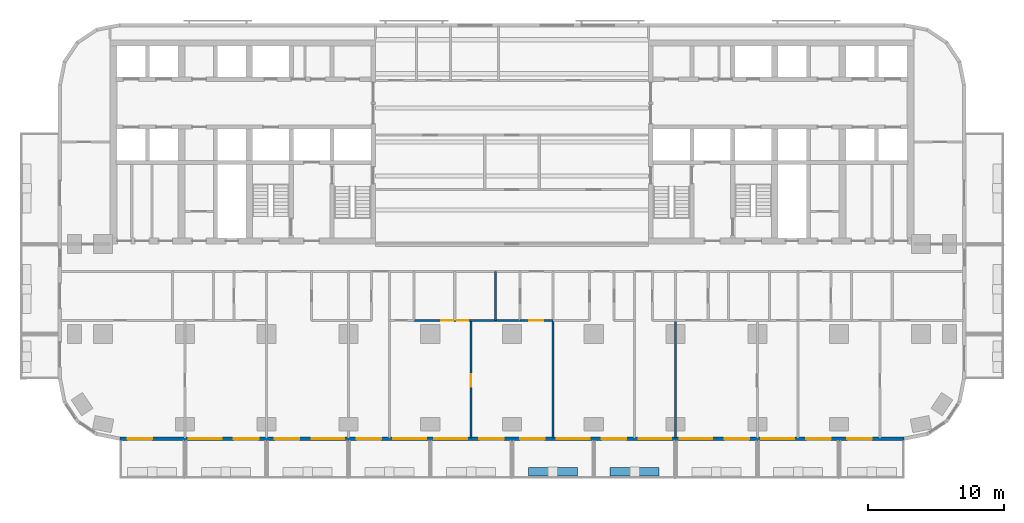
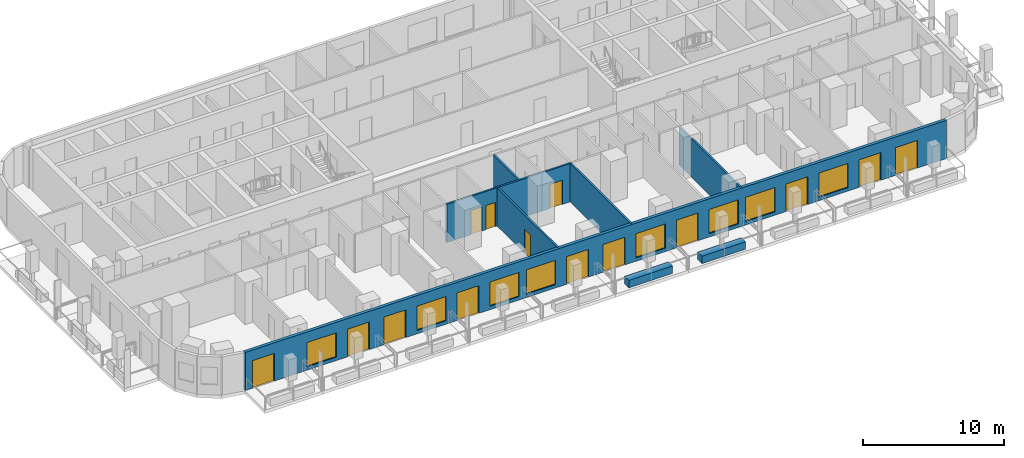
# One storey, part 5 of 15: 14 doors, 9 walls, 8 windows, 22 openings.
"""IFC4 building model written with IfcOpenShell, lengths in metres."""

from ifc_helpers import new_model, si_unit, direction, frame, frame_2d, origin, place, context, subcontext, project, spatial, rectangle, extrude, material, layer, layer_set, type_object, element, fill, save


model = new_model("IFC4")

# Units and contexts
model_context = context("Model", 3, precision=1e-05, world=origin(), true_north=direction((0.0, 1.0)))
body_context = subcontext(model_context, "Body", "Model", "MODEL_VIEW")
ifc_project = project(units=[si_unit("LENGTHUNIT", "METRE"), si_unit("AREAUNIT", "SQUARE_METRE"), si_unit("VOLUMEUNIT", "CUBIC_METRE"), si_unit("PLANEANGLEUNIT", "RADIAN"), si_unit("MASSUNIT", "GRAM", prefix="KILO")], contexts=[model_context])

# Site, building, storey
site_placement = place(None, origin())
site = spatial("IfcSite", under=ifc_project, at=site_placement, CompositionType="ELEMENT")
building_placement = place(site_placement, origin())
building = spatial("IfcBuilding", under=site, at=building_placement, Name="Torana Hotel and Residences", CompositionType="ELEMENT")
storey_placement = place(building_placement, frame((0.0, 0.0, 92.39990234375)))
storey = spatial("IfcBuildingStorey", under=building, at=storey_placement, Name="L23", CompositionType="ELEMENT", Elevation=92.39990234375)

# Wall, openings, doors, windows
ifc_material_1 = material(Name="Black aluminium composite panel", Category="aluminium")
ifc_layer_1 = layer(ifc_material_1, 0.00390625, Name="Cladding", Category="cladding")
ifc_material_2 = material(Name="Ventilated air cavity")
ifc_layer_2 = layer(ifc_material_2, 0.0400390625, Name="Ventilated cavity", Category="cavity")
ifc_material_3 = material(Name="Mineral wool insulation")
ifc_layer_3 = layer(ifc_material_3, 0.090087890625, Name="Insulation", Category="insulation")
ifc_material_4 = material(Name="Steel S280GD", Category="steel")
ifc_layer_4 = layer(ifc_material_4, 0.092041015625, Name="Steel stud frame", Category="structure")
ifc_material_5 = material(Name="Fire rated plasterboard")
ifc_layer_5 = layer(ifc_material_5, 0.011962890625, Name="Inner board", Category="finish")
ifc_layer_6 = layer(ifc_material_5, 0.011962890625, Name="Second board", Category="finish")
ifc_layer_set_1 = layer_set([ifc_layer_1, ifc_layer_2, ifc_layer_3, ifc_layer_4, ifc_layer_5, ifc_layer_6], Name="EW1 EXTERNAL WALL BLACK METAL CLAD 250")
wall_type_1 = type_object("IfcWallType", Name="EW1 EXTERNAL WALL BLACK METAL CLAD 250", PredefinedType="SOLIDWALL", material=ifc_layer_set_1)
wall_1_placement = place(storey_placement, frame((-28.775390625, -29.27490234375, 0.0), z_axis=(0.0, 0.0, 1.0), x_axis=(1.0, 0.0, 0.0)))
wall_1 = element("IfcWall", 1, at=wall_1_placement, inside=storey, type_object=wall_type_1, Name="External wall L23 e0.14", PredefinedType="SOLIDWALL", context=body_context, shape_type="SweptSolid", body=[
    extrude(rectangle(XDim=57.55078125, YDim=0.25, at=frame_2d((28.775390625, 0.0))), origin(), (0.0, 0.0, 1.0), 3.320068359375),
])
opening_1_placement = place(wall_1_placement, frame((0.575439453125, 0.0, 0.0)))
opening_1 = element("IfcOpeningElement", 2, at=opening_1_placement, cuts=wall_1, Name="Opening L23-E01", PredefinedType="OPENING", context=body_context, shape_type="SweptSolid", body=[
    extrude(rectangle(XDim=1.800048828125, YDim=2.39990234375, at=frame_2d((0.89990234375, 1.199951171875))), frame((0.0, 0.135009765625, 0.0), z_axis=(0.0, -1.0, 0.0), x_axis=(1.0, 0.0, 0.0)), (0.0, 0.0, 1.0), 0.27001953125),
])
opening_2_placement = place(wall_1_placement, frame((5.075439453125, 0.0, 0.300048828125)))
opening_2 = element("IfcOpeningElement", 3, at=opening_2_placement, cuts=wall_1, Name="Opening W1", PredefinedType="OPENING", context=body_context, shape_type="SweptSolid", body=[
    extrude(rectangle(XDim=2.39990234375, YDim=2.10009765625, at=frame_2d((1.199951171875, 1.050048828125))), frame((0.0, 0.135009765625, 0.0), z_axis=(0.0, -1.0, 0.0), x_axis=(1.0, 0.0, 0.0)), (0.0, 0.0, 1.0), 0.27001953125),
])
opening_3_placement = place(wall_1_placement, frame((8.37548828125, 0.0, 0.0)))
opening_3 = element("IfcOpeningElement", 4, at=opening_3_placement, cuts=wall_1, Name="Opening L23-E02", PredefinedType="OPENING", context=body_context, shape_type="SweptSolid", body=[
    extrude(rectangle(XDim=1.800048828125, YDim=2.39990234375, at=frame_2d((0.89990234375, 1.199951171875))), frame((0.0, 0.135009765625, 0.0), z_axis=(0.0, -1.0, 0.0), x_axis=(1.0, 0.0, 0.0)), (0.0, 0.0, 1.0), 0.27001953125),
])
opening_4_placement = place(wall_1_placement, frame((11.37548828125, 0.0, 0.0)))
opening_4 = element("IfcOpeningElement", 5, at=opening_4_placement, cuts=wall_1, Name="Opening L23-E03", PredefinedType="OPENING", context=body_context, shape_type="SweptSolid", body=[
    extrude(rectangle(XDim=1.800048828125, YDim=2.39990234375, at=frame_2d((0.89990234375, 1.199951171875))), frame((0.0, 0.135009765625, 0.0), z_axis=(0.0, -1.0, 0.0), x_axis=(1.0, 0.0, 0.0)), (0.0, 0.0, 1.0), 0.27001953125),
])
opening_5_placement = place(wall_1_placement, frame((14.075439453125, 0.0, 0.300048828125)))
opening_5 = element("IfcOpeningElement", 6, at=opening_5_placement, cuts=wall_1, Name="Opening W1", PredefinedType="OPENING", context=body_context, shape_type="SweptSolid", body=[
    extrude(rectangle(XDim=2.39990234375, YDim=2.10009765625, at=frame_2d((1.199951171875, 1.050048828125))), frame((0.0, 0.135009765625, 0.0), z_axis=(0.0, -1.0, 0.0), x_axis=(1.0, 0.0, 0.0)), (0.0, 0.0, 1.0), 0.27001953125),
])
opening_6_placement = place(wall_1_placement, frame((17.37548828125, 0.0, 0.0)))
opening_6 = element("IfcOpeningElement", 7, at=opening_6_placement, cuts=wall_1, Name="Opening L23-E04", PredefinedType="OPENING", context=body_context, shape_type="SweptSolid", body=[
    extrude(rectangle(XDim=1.800048828125, YDim=2.39990234375, at=frame_2d((0.89990234375, 1.199951171875))), frame((0.0, 0.135009765625, 0.0), z_axis=(0.0, -1.0, 0.0), x_axis=(1.0, 0.0, 0.0)), (0.0, 0.0, 1.0), 0.27001953125),
])
opening_7_placement = place(wall_1_placement, frame((20.075439453125, 0.0, 0.300048828125)))
opening_7 = element("IfcOpeningElement", 8, at=opening_7_placement, cuts=wall_1, Name="Opening W1", PredefinedType="OPENING", context=body_context, shape_type="SweptSolid", body=[
    extrude(rectangle(XDim=2.39990234375, YDim=2.10009765625, at=frame_2d((1.199951171875, 1.050048828125))), frame((0.0, 0.135009765625, 0.0), z_axis=(0.0, -1.0, 0.0), x_axis=(1.0, 0.0, 0.0)), (0.0, 0.0, 1.0), 0.27001953125),
])
opening_8_placement = place(wall_1_placement, frame((23.075439453125, 0.0, 0.300048828125)))
opening_8 = element("IfcOpeningElement", 9, at=opening_8_placement, cuts=wall_1, Name="Opening W1", PredefinedType="OPENING", context=body_context, shape_type="SweptSolid", body=[
    extrude(rectangle(XDim=2.39990234375, YDim=2.10009765625, at=frame_2d((1.199951171875, 1.050048828125))), frame((0.0, 0.135009765625, 0.0), z_axis=(0.0, -1.0, 0.0), x_axis=(1.0, 0.0, 0.0)), (0.0, 0.0, 1.0), 0.27001953125),
])
opening_9_placement = place(wall_1_placement, frame((26.37548828125, 0.0, 0.0)))
opening_9 = element("IfcOpeningElement", 10, at=opening_9_placement, cuts=wall_1, Name="Opening L23-E05", PredefinedType="OPENING", context=body_context, shape_type="SweptSolid", body=[
    extrude(rectangle(XDim=1.800048828125, YDim=2.39990234375, at=frame_2d((0.89990234375, 1.199951171875))), frame((0.0, 0.135009765625, 0.0), z_axis=(0.0, -1.0, 0.0), x_axis=(1.0, 0.0, 0.0)), (0.0, 0.0, 1.0), 0.27001953125),
])
opening_10_placement = place(wall_1_placement, frame((29.37548828125, 0.0, 0.0)))
opening_10 = element("IfcOpeningElement", 11, at=opening_10_placement, cuts=wall_1, Name="Opening L23-E06", PredefinedType="OPENING", context=body_context, shape_type="SweptSolid", body=[
    extrude(rectangle(XDim=1.800048828125, YDim=2.39990234375, at=frame_2d((0.89990234375, 1.199951171875))), frame((0.0, 0.135009765625, 0.0), z_axis=(0.0, -1.0, 0.0), x_axis=(1.0, 0.0, 0.0)), (0.0, 0.0, 1.0), 0.27001953125),
])
opening_11_placement = place(wall_1_placement, frame((32.075439453125, 0.0, 0.300048828125)))
opening_11 = element("IfcOpeningElement", 12, at=opening_11_placement, cuts=wall_1, Name="Opening W1", PredefinedType="OPENING", context=body_context, shape_type="SweptSolid", body=[
    extrude(rectangle(XDim=2.39990234375, YDim=2.10009765625, at=frame_2d((1.199951171875, 1.050048828125))), frame((0.0, 0.135009765625, 0.0), z_axis=(0.0, -1.0, 0.0), x_axis=(1.0, 0.0, 0.0)), (0.0, 0.0, 1.0), 0.27001953125),
])
opening_12_placement = place(wall_1_placement, frame((35.37548828125, 0.0, 0.0)))
opening_12 = element("IfcOpeningElement", 13, at=opening_12_placement, cuts=wall_1, Name="Opening L23-E07", PredefinedType="OPENING", context=body_context, shape_type="SweptSolid", body=[
    extrude(rectangle(XDim=1.800048828125, YDim=2.39990234375, at=frame_2d((0.89990234375, 1.199951171875))), frame((0.0, 0.135009765625, 0.0), z_axis=(0.0, -1.0, 0.0), x_axis=(1.0, 0.0, 0.0)), (0.0, 0.0, 1.0), 0.27001953125),
])
opening_13_placement = place(wall_1_placement, frame((38.075439453125, 0.0, 0.300048828125)))
opening_13 = element("IfcOpeningElement", 14, at=opening_13_placement, cuts=wall_1, Name="Opening W1", PredefinedType="OPENING", context=body_context, shape_type="SweptSolid", body=[
    extrude(rectangle(XDim=2.39990234375, YDim=2.10009765625, at=frame_2d((1.199951171875, 1.050048828125))), frame((0.0, 0.135009765625, 0.0), z_axis=(0.0, -1.0, 0.0), x_axis=(1.0, 0.0, 0.0)), (0.0, 0.0, 1.0), 0.27001953125),
])
opening_14_placement = place(wall_1_placement, frame((41.075439453125, 0.0, 0.300048828125)))
opening_14 = element("IfcOpeningElement", 15, at=opening_14_placement, cuts=wall_1, Name="Opening W1", PredefinedType="OPENING", context=body_context, shape_type="SweptSolid", body=[
    extrude(rectangle(XDim=2.39990234375, YDim=2.10009765625, at=frame_2d((1.199951171875, 1.050048828125))), frame((0.0, 0.135009765625, 0.0), z_axis=(0.0, -1.0, 0.0), x_axis=(1.0, 0.0, 0.0)), (0.0, 0.0, 1.0), 0.27001953125),
])
opening_15_placement = place(wall_1_placement, frame((44.37548828125, 0.0, 0.0)))
opening_15 = element("IfcOpeningElement", 16, at=opening_15_placement, cuts=wall_1, Name="Opening L23-E08", PredefinedType="OPENING", context=body_context, shape_type="SweptSolid", body=[
    extrude(rectangle(XDim=1.800048828125, YDim=2.39990234375, at=frame_2d((0.89990234375, 1.199951171875))), frame((0.0, 0.135009765625, 0.0), z_axis=(0.0, -1.0, 0.0), x_axis=(1.0, 0.0, 0.0)), (0.0, 0.0, 1.0), 0.27001953125),
])
opening_16_placement = place(wall_1_placement, frame((47.075439453125, 0.0, 0.300048828125)))
opening_16 = element("IfcOpeningElement", 17, at=opening_16_placement, cuts=wall_1, Name="Opening W1", PredefinedType="OPENING", context=body_context, shape_type="SweptSolid", body=[
    extrude(rectangle(XDim=2.39990234375, YDim=2.10009765625, at=frame_2d((1.199951171875, 1.050048828125))), frame((0.0, 0.135009765625, 0.0), z_axis=(0.0, -1.0, 0.0), x_axis=(1.0, 0.0, 0.0)), (0.0, 0.0, 1.0), 0.27001953125),
])
opening_17_placement = place(wall_1_placement, frame((50.37548828125, 0.0, 0.0)))
opening_17 = element("IfcOpeningElement", 18, at=opening_17_placement, cuts=wall_1, Name="Opening L23-E09", PredefinedType="OPENING", context=body_context, shape_type="SweptSolid", body=[
    extrude(rectangle(XDim=1.800048828125, YDim=2.39990234375, at=frame_2d((0.89990234375, 1.199951171875))), frame((0.0, 0.135009765625, 0.0), z_axis=(0.0, -1.0, 0.0), x_axis=(1.0, 0.0, 0.0)), (0.0, 0.0, 1.0), 0.27001953125),
])
opening_18_placement = place(wall_1_placement, frame((53.37548828125, 0.0, 0.0)))
opening_18 = element("IfcOpeningElement", 19, at=opening_18_placement, cuts=wall_1, Name="Opening L23-E10", PredefinedType="OPENING", context=body_context, shape_type="SweptSolid", body=[
    extrude(rectangle(XDim=1.800048828125, YDim=2.39990234375, at=frame_2d((0.89990234375, 1.199951171875))), frame((0.0, 0.135009765625, 0.0), z_axis=(0.0, -1.0, 0.0), x_axis=(1.0, 0.0, 0.0)), (0.0, 0.0, 1.0), 0.27001953125),
])
ifc_material_6 = material(Name="Dark glass in black aluminium frame", Category="aluminium")
door_type_1 = type_object("IfcDoorType", Name="DB1 BALCONY DOOR 1800x2400", OperationType="DOUBLE_DOOR_SINGLE_SWING", PredefinedType="DOOR", material=ifc_material_6)
door_1_placement = place(opening_1_placement, origin())
door_1 = element("IfcDoor", 20, at=door_1_placement, inside=storey, type_object=door_type_1, Name="Balcony door L23", OperationType="DOUBLE_DOOR_SINGLE_SWING", OverallHeight=2.39990234375, OverallWidth=1.800048828125, PredefinedType="DOOR", context=body_context, shape_type="SweptSolid", body=[
    extrude(rectangle(XDim=1.800048828125, YDim=2.39990234375, at=frame_2d((0.89990234375, 1.199951171875))), frame((0.0, 0.02490234375, 0.0), z_axis=(0.0, -1.0, 0.0), x_axis=(1.0, 0.0, 0.0)), (0.0, 0.0, 1.0), 0.050048828125),
])
fill(opening_1, door_1)
door_2_placement = place(opening_3_placement, frame((0.89990234375, 0.0, 0.0), z_axis=(0.0, 0.0, 1.0), x_axis=(-1.0, 0.0, 0.0)))
door_2 = element("IfcDoor", 21, at=door_2_placement, inside=storey, type_object=door_type_1, Name="Balcony door L23", OperationType="DOUBLE_DOOR_SINGLE_SWING", OverallHeight=2.39990234375, OverallWidth=1.800048828125, PredefinedType="DOOR", context=body_context, shape_type="SweptSolid", body=[
    extrude(rectangle(XDim=1.800048828125, YDim=2.39990234375, at=frame_2d((0.0, 1.199951171875))), frame((0.0, -0.02490234375, 0.0), z_axis=(0.0, 1.0, 0.0), x_axis=(-1.0, 0.0, 0.0)), (0.0, 0.0, 1.0), 0.050048828125),
])
fill(opening_3, door_2)
door_3_placement = place(opening_4_placement, frame((0.89990234375, 0.0, 0.0), z_axis=(0.0, 0.0, 1.0), x_axis=(-1.0, 0.0, 0.0)))
door_3 = element("IfcDoor", 22, at=door_3_placement, inside=storey, type_object=door_type_1, Name="Balcony door L23", OperationType="DOUBLE_DOOR_SINGLE_SWING", OverallHeight=2.39990234375, OverallWidth=1.800048828125, PredefinedType="DOOR", context=body_context, shape_type="SweptSolid", body=[
    extrude(rectangle(XDim=1.800048828125, YDim=2.39990234375, at=frame_2d((0.0, 1.199951171875))), frame((0.0, -0.02490234375, 0.0), z_axis=(0.0, 1.0, 0.0), x_axis=(-1.0, 0.0, 0.0)), (0.0, 0.0, 1.0), 0.050048828125),
])
fill(opening_4, door_3)
door_4_placement = place(opening_6_placement, frame((0.89990234375, 0.0, 0.0), z_axis=(0.0, 0.0, 1.0), x_axis=(-1.0, 0.0, 0.0)))
door_4 = element("IfcDoor", 23, at=door_4_placement, inside=storey, type_object=door_type_1, Name="Balcony door L23", OperationType="DOUBLE_DOOR_SINGLE_SWING", OverallHeight=2.39990234375, OverallWidth=1.800048828125, PredefinedType="DOOR", context=body_context, shape_type="SweptSolid", body=[
    extrude(rectangle(XDim=1.800048828125, YDim=2.39990234375, at=frame_2d((0.0, 1.199951171875))), frame((0.0, -0.02490234375, 0.0), z_axis=(0.0, 1.0, 0.0), x_axis=(-1.0, 0.0, 0.0)), (0.0, 0.0, 1.0), 0.050048828125),
])
fill(opening_6, door_4)
door_5_placement = place(opening_9_placement, frame((0.89990234375, 0.0, 0.0), z_axis=(0.0, 0.0, 1.0), x_axis=(-1.0, 0.0, 0.0)))
door_5 = element("IfcDoor", 24, at=door_5_placement, inside=storey, type_object=door_type_1, Name="Balcony door L23", OperationType="DOUBLE_DOOR_SINGLE_SWING", OverallHeight=2.39990234375, OverallWidth=1.800048828125, PredefinedType="DOOR", context=body_context, shape_type="SweptSolid", body=[
    extrude(rectangle(XDim=1.800048828125, YDim=2.39990234375, at=frame_2d((0.0, 1.199951171875))), frame((0.0, -0.02490234375, 0.0), z_axis=(0.0, 1.0, 0.0), x_axis=(-1.0, 0.0, 0.0)), (0.0, 0.0, 1.0), 0.050048828125),
])
fill(opening_9, door_5)
door_6_placement = place(opening_10_placement, frame((0.89990234375, 0.0, 0.0), z_axis=(0.0, 0.0, 1.0), x_axis=(-1.0, 0.0, 0.0)))
door_6 = element("IfcDoor", 25, at=door_6_placement, inside=storey, type_object=door_type_1, Name="Balcony door L23", OperationType="DOUBLE_DOOR_SINGLE_SWING", OverallHeight=2.39990234375, OverallWidth=1.800048828125, PredefinedType="DOOR", context=body_context, shape_type="SweptSolid", body=[
    extrude(rectangle(XDim=1.800048828125, YDim=2.39990234375, at=frame_2d((0.0, 1.199951171875))), frame((0.0, -0.02490234375, 0.0), z_axis=(0.0, 1.0, 0.0), x_axis=(-1.0, 0.0, 0.0)), (0.0, 0.0, 1.0), 0.050048828125),
])
fill(opening_10, door_6)
door_7_placement = place(opening_12_placement, frame((0.89990234375, 0.0, 0.0), z_axis=(0.0, 0.0, 1.0), x_axis=(-1.0, 0.0, 0.0)))
door_7 = element("IfcDoor", 26, at=door_7_placement, inside=storey, type_object=door_type_1, Name="Balcony door L23", OperationType="DOUBLE_DOOR_SINGLE_SWING", OverallHeight=2.39990234375, OverallWidth=1.800048828125, PredefinedType="DOOR", context=body_context, shape_type="SweptSolid", body=[
    extrude(rectangle(XDim=1.800048828125, YDim=2.39990234375, at=frame_2d((0.0, 1.199951171875))), frame((0.0, -0.02490234375, 0.0), z_axis=(0.0, 1.0, 0.0), x_axis=(-1.0, 0.0, 0.0)), (0.0, 0.0, 1.0), 0.050048828125),
])
fill(opening_12, door_7)
door_8_placement = place(opening_15_placement, frame((0.89990234375, 0.0, 0.0), z_axis=(0.0, 0.0, 1.0), x_axis=(-1.0, 0.0, 0.0)))
door_8 = element("IfcDoor", 27, at=door_8_placement, inside=storey, type_object=door_type_1, Name="Balcony door L23", OperationType="DOUBLE_DOOR_SINGLE_SWING", OverallHeight=2.39990234375, OverallWidth=1.800048828125, PredefinedType="DOOR", context=body_context, shape_type="SweptSolid", body=[
    extrude(rectangle(XDim=1.800048828125, YDim=2.39990234375, at=frame_2d((0.0, 1.199951171875))), frame((0.0, -0.02490234375, 0.0), z_axis=(0.0, 1.0, 0.0), x_axis=(-1.0, 0.0, 0.0)), (0.0, 0.0, 1.0), 0.050048828125),
])
fill(opening_15, door_8)
door_9_placement = place(opening_17_placement, frame((0.89990234375, 0.0, 0.0), z_axis=(0.0, 0.0, 1.0), x_axis=(-1.0, 0.0, 0.0)))
door_9 = element("IfcDoor", 28, at=door_9_placement, inside=storey, type_object=door_type_1, Name="Balcony door L23", OperationType="DOUBLE_DOOR_SINGLE_SWING", OverallHeight=2.39990234375, OverallWidth=1.800048828125, PredefinedType="DOOR", context=body_context, shape_type="SweptSolid", body=[
    extrude(rectangle(XDim=1.800048828125, YDim=2.39990234375, at=frame_2d((0.0, 1.199951171875))), frame((0.0, -0.02490234375, 0.0), z_axis=(0.0, 1.0, 0.0), x_axis=(-1.0, 0.0, 0.0)), (0.0, 0.0, 1.0), 0.050048828125),
])
fill(opening_17, door_9)
door_10_placement = place(opening_18_placement, frame((0.89990234375, 0.0, 0.0), z_axis=(0.0, 0.0, 1.0), x_axis=(-1.0, 0.0, 0.0)))
door_10 = element("IfcDoor", 29, at=door_10_placement, inside=storey, type_object=door_type_1, Name="Balcony door L23", OperationType="DOUBLE_DOOR_SINGLE_SWING", OverallHeight=2.39990234375, OverallWidth=1.800048828125, PredefinedType="DOOR", context=body_context, shape_type="SweptSolid", body=[
    extrude(rectangle(XDim=1.800048828125, YDim=2.39990234375, at=frame_2d((0.0, 1.199951171875))), frame((0.0, -0.02490234375, 0.0), z_axis=(0.0, 1.0, 0.0), x_axis=(-1.0, 0.0, 0.0)), (0.0, 0.0, 1.0), 0.050048828125),
])
fill(opening_18, door_10)
ifc_material_7 = material(Name="Dark glass in black aluminium frame", Category="aluminium")
window_type = type_object("IfcWindowType", Name="W1 HOTEL ROOM WINDOW 2400x2100", PartitioningType="SINGLE_PANEL", PredefinedType="WINDOW", material=ifc_material_7)
window_1_placement = place(opening_2_placement, origin())
window_1 = element("IfcWindow", 30, at=window_1_placement, inside=storey, type_object=window_type, Name="Window L23", OverallHeight=2.10009765625, OverallWidth=2.39990234375, PartitioningType="SINGLE_PANEL", PredefinedType="WINDOW", context=body_context, shape_type="SweptSolid", body=[
    extrude(rectangle(XDim=2.39990234375, YDim=2.10009765625, at=frame_2d((1.199951171875, 1.050048828125))), frame((0.0, 0.030029296875, 0.0), z_axis=(0.0, -1.0, 0.0), x_axis=(1.0, 0.0, 0.0)), (0.0, 0.0, 1.0), 0.06005859375),
])
fill(opening_2, window_1)
window_2_placement = place(opening_5_placement, origin())
window_2 = element("IfcWindow", 31, at=window_2_placement, inside=storey, type_object=window_type, Name="Window L23", OverallHeight=2.10009765625, OverallWidth=2.39990234375, PartitioningType="SINGLE_PANEL", PredefinedType="WINDOW", context=body_context, shape_type="SweptSolid", body=[
    extrude(rectangle(XDim=2.39990234375, YDim=2.10009765625, at=frame_2d((1.199951171875, 1.050048828125))), frame((0.0, 0.030029296875, 0.0), z_axis=(0.0, -1.0, 0.0), x_axis=(1.0, 0.0, 0.0)), (0.0, 0.0, 1.0), 0.06005859375),
])
fill(opening_5, window_2)
window_3_placement = place(opening_7_placement, origin())
window_3 = element("IfcWindow", 32, at=window_3_placement, inside=storey, type_object=window_type, Name="Window L23", OverallHeight=2.10009765625, OverallWidth=2.39990234375, PartitioningType="SINGLE_PANEL", PredefinedType="WINDOW", context=body_context, shape_type="SweptSolid", body=[
    extrude(rectangle(XDim=2.39990234375, YDim=2.10009765625, at=frame_2d((1.199951171875, 1.050048828125))), frame((0.0, 0.030029296875, 0.0), z_axis=(0.0, -1.0, 0.0), x_axis=(1.0, 0.0, 0.0)), (0.0, 0.0, 1.0), 0.06005859375),
])
fill(opening_7, window_3)
window_4_placement = place(opening_8_placement, origin())
window_4 = element("IfcWindow", 33, at=window_4_placement, inside=storey, type_object=window_type, Name="Window L23", OverallHeight=2.10009765625, OverallWidth=2.39990234375, PartitioningType="SINGLE_PANEL", PredefinedType="WINDOW", context=body_context, shape_type="SweptSolid", body=[
    extrude(rectangle(XDim=2.39990234375, YDim=2.10009765625, at=frame_2d((1.199951171875, 1.050048828125))), frame((0.0, 0.030029296875, 0.0), z_axis=(0.0, -1.0, 0.0), x_axis=(1.0, 0.0, 0.0)), (0.0, 0.0, 1.0), 0.06005859375),
])
fill(opening_8, window_4)
window_5_placement = place(opening_11_placement, origin())
window_5 = element("IfcWindow", 34, at=window_5_placement, inside=storey, type_object=window_type, Name="Window L23", OverallHeight=2.10009765625, OverallWidth=2.39990234375, PartitioningType="SINGLE_PANEL", PredefinedType="WINDOW", context=body_context, shape_type="SweptSolid", body=[
    extrude(rectangle(XDim=2.39990234375, YDim=2.10009765625, at=frame_2d((1.199951171875, 1.050048828125))), frame((0.0, 0.030029296875, 0.0), z_axis=(0.0, -1.0, 0.0), x_axis=(1.0, 0.0, 0.0)), (0.0, 0.0, 1.0), 0.06005859375),
])
fill(opening_11, window_5)
window_6_placement = place(opening_13_placement, origin())
window_6 = element("IfcWindow", 35, at=window_6_placement, inside=storey, type_object=window_type, Name="Window L23", OverallHeight=2.10009765625, OverallWidth=2.39990234375, PartitioningType="SINGLE_PANEL", PredefinedType="WINDOW", context=body_context, shape_type="SweptSolid", body=[
    extrude(rectangle(XDim=2.39990234375, YDim=2.10009765625, at=frame_2d((1.199951171875, 1.050048828125))), frame((0.0, 0.030029296875, 0.0), z_axis=(0.0, -1.0, 0.0), x_axis=(1.0, 0.0, 0.0)), (0.0, 0.0, 1.0), 0.06005859375),
])
fill(opening_13, window_6)
window_7_placement = place(opening_14_placement, origin())
window_7 = element("IfcWindow", 36, at=window_7_placement, inside=storey, type_object=window_type, Name="Window L23", OverallHeight=2.10009765625, OverallWidth=2.39990234375, PartitioningType="SINGLE_PANEL", PredefinedType="WINDOW", context=body_context, shape_type="SweptSolid", body=[
    extrude(rectangle(XDim=2.39990234375, YDim=2.10009765625, at=frame_2d((1.199951171875, 1.050048828125))), frame((0.0, 0.030029296875, 0.0), z_axis=(0.0, -1.0, 0.0), x_axis=(1.0, 0.0, 0.0)), (0.0, 0.0, 1.0), 0.06005859375),
])
fill(opening_14, window_7)
window_8_placement = place(opening_16_placement, origin())
window_8 = element("IfcWindow", 37, at=window_8_placement, inside=storey, type_object=window_type, Name="Window L23", OverallHeight=2.10009765625, OverallWidth=2.39990234375, PartitioningType="SINGLE_PANEL", PredefinedType="WINDOW", context=body_context, shape_type="SweptSolid", body=[
    extrude(rectangle(XDim=2.39990234375, YDim=2.10009765625, at=frame_2d((1.199951171875, 1.050048828125))), frame((0.0, 0.030029296875, 0.0), z_axis=(0.0, -1.0, 0.0), x_axis=(1.0, 0.0, 0.0)), (0.0, 0.0, 1.0), 0.06005859375),
])
fill(opening_16, window_8)

# Wall, opening, door
ifc_material_8 = material(Name="Gypsum plaster")
ifc_layer_7 = layer(ifc_material_8, 0.014892578125, Name="Plaster", Category="finish")
ifc_material_9 = material(Name="Concrete blockwork", Category="masonry")
ifc_layer_8 = layer(ifc_material_9, 0.1201171875, Name="Blockwork", Category="structure")
ifc_layer_9 = layer(ifc_material_8, 0.014892578125, Name="Plaster", Category="finish")
ifc_layer_set_2 = layer_set([ifc_layer_7, ifc_layer_8, ifc_layer_9], Name="FIRE PARTITION 150 BLOCKWORK")
wall_type_2 = type_object("IfcWallType", Name="FIRE PARTITION 150 BLOCKWORK", PredefinedType="PARTITIONING", material=ifc_layer_set_2)
wall_2_placement = place(storey_placement, frame((0.60009765625, -20.60009765625, 0.0), z_axis=(0.0, 0.0, 1.0), x_axis=(1.0, 0.0, 0.0)))
wall_2 = element("IfcWall", 38, at=wall_2_placement, inside=storey, type_object=wall_type_2, Name="Partition L23", PredefinedType="PARTITIONING", context=body_context, shape_type="SweptSolid", body=[
    extrude(rectangle(XDim=2.39990234375, YDim=0.14990234375, at=frame_2d((1.199951171875, 0.0))), origin(), (0.0, 0.0, 1.0), 3.320068359375),
])
opening_19_placement = place(wall_2_placement, frame((0.679931640625, 0.0, 0.0)))
opening_19 = element("IfcOpeningElement", 39, at=opening_19_placement, cuts=wall_2, Name="Opening L23-64", PredefinedType="OPENING", context=body_context, shape_type="SweptSolid", body=[
    extrude(rectangle(XDim=1.0, YDim=2.10009765625, at=frame_2d((0.5, 1.050048828125))), frame((0.0, 0.0849609375, 0.0), z_axis=(0.0, -1.0, 0.0), x_axis=(1.0, 0.0, 0.0)), (0.0, 0.0, 1.0), 0.169921875),
])
ifc_material_10 = material(Name="Steel S235", Category="steel")
door_type_2 = type_object("IfcDoorType", Name="ENTRY FIRE DOOR D6 1000x2100", OperationType="SINGLE_SWING_LEFT", PredefinedType="DOOR", material=ifc_material_10)
door_11_placement = place(opening_19_placement, frame((0.5, 0.0, 0.0), z_axis=(0.0, 0.0, 1.0), x_axis=(-1.0, 0.0, 0.0)))
door_11 = element("IfcDoor", 40, at=door_11_placement, inside=storey, type_object=door_type_2, Name="Door L23", OperationType="SINGLE_SWING_LEFT", OverallHeight=2.10009765625, OverallWidth=1.0, PredefinedType="DOOR", context=body_context, shape_type="SweptSolid", body=[
    extrude(rectangle(XDim=1.0, YDim=2.10009765625, at=frame_2d((0.0, 1.050048828125))), frame((0.0, -0.02490234375, 0.0), z_axis=(0.0, 1.0, 0.0), x_axis=(-1.0, 0.0, 0.0)), (0.0, 0.0, 1.0), 0.050048828125),
])
fill(opening_19, door_11)

# Walls
ifc_material_11 = material(Name="Gypsum plasterboard")
ifc_layer_10 = layer(ifc_material_11, 0.012451171875, Name="Plasterboard", Category="finish")
ifc_layer_11 = layer(ifc_material_11, 0.012451171875, Name="Plasterboard", Category="finish")
ifc_layer_12 = layer(ifc_material_4, 0.10009765625, Name="Steel studs with mineral wool", Category="insulation")
ifc_layer_13 = layer(ifc_material_11, 0.012451171875, Name="Plasterboard", Category="finish")
ifc_layer_14 = layer(ifc_material_11, 0.012451171875, Name="Plasterboard", Category="finish")
ifc_layer_set_3 = layer_set([ifc_layer_10, ifc_layer_11, ifc_layer_12, ifc_layer_13, ifc_layer_14], Name="PARTITION 150 PLASTERBOARD")
wall_type_3 = type_object("IfcWallType", Name="PARTITION 150 PLASTERBOARD", PredefinedType="PARTITIONING", material=ifc_layer_set_3)
for number, where, z_axis, x_axis, name in (
    (41, (12.0, -29.219970703125, 0.0), (0.0, 0.0, 1.0), (0.0, 1.0, 0.0), "Partition L23"),
    (42, (3.0, -29.219970703125, 0.0), (0.0, 0.0, 1.0), (0.0, 1.0, 0.0), "Partition L23"),
):
    element("IfcWall", number, at=place(storey_placement, frame(where, z_axis=z_axis, x_axis=x_axis)), inside=storey, type_object=wall_type_3, Name=name, PredefinedType="PARTITIONING", context=body_context, shape_type="SweptSolid", body=[
        extrude(rectangle(XDim=8.619873046875, YDim=0.14990234375, at=frame_2d((4.31005859375, 0.0))), origin(), (0.0, 0.0, 1.0), 3.320068359375),
    ])
wall_3_placement = place(storey_placement, frame((-1.199951171875, -20.60009765625, 0.0), z_axis=(0.0, 0.0, 1.0), x_axis=(0.0, 1.0, 0.0)))
element("IfcWall", 43, at=wall_3_placement, inside=storey, type_object=wall_type_3, Name="Partition L23", PredefinedType="PARTITIONING", context=body_context, shape_type="SweptSolid", body=[
    extrude(rectangle(XDim=3.60009765625, YDim=0.14990234375, at=frame_2d((1.800048828125, 0.0))), origin(), (0.0, 0.0, 1.0), 3.320068359375),
])

# Wall, opening, door
wall_4_placement = place(storey_placement, frame((-3.0, -29.219970703125, 0.0), z_axis=(0.0, 0.0, 1.0), x_axis=(0.0, 1.0, 0.0)))
wall_4 = element("IfcWall", 44, at=wall_4_placement, inside=storey, type_object=wall_type_3, Name="Partition L23", PredefinedType="PARTITIONING", context=body_context, shape_type="SweptSolid", body=[
    extrude(rectangle(XDim=8.619873046875, YDim=0.14990234375, at=frame_2d((4.31005859375, 0.0))), origin(), (0.0, 0.0, 1.0), 3.320068359375),
])
opening_20_placement = place(wall_4_placement, frame((3.77001953125, 0.0, 0.0)))
opening_20 = element("IfcOpeningElement", 45, at=opening_20_placement, cuts=wall_4, Name="Opening L23-65", PredefinedType="OPENING", context=body_context, shape_type="SweptSolid", body=[
    extrude(rectangle(XDim=0.89990234375, YDim=2.10009765625, at=frame_2d((0.449951171875, 1.050048828125))), frame((0.0, 0.0849609375, 0.0), z_axis=(0.0, -1.0, 0.0), x_axis=(1.0, 0.0, 0.0)), (0.0, 0.0, 1.0), 0.169921875),
])
ifc_material_12 = material(Name="Timber door, oiled ash", Category="wood")
door_type_3 = type_object("IfcDoorType", Name="ROOM DOOR D7 900x2100", OperationType="SINGLE_SWING_LEFT", PredefinedType="DOOR", material=ifc_material_12)
door_12_placement = place(opening_20_placement, origin())
door_12 = element("IfcDoor", 46, at=door_12_placement, inside=storey, type_object=door_type_3, Name="Door L23", OperationType="SINGLE_SWING_RIGHT", OverallHeight=2.10009765625, OverallWidth=0.89990234375, PredefinedType="DOOR", context=body_context, shape_type="SweptSolid", body=[
    extrude(rectangle(XDim=0.89990234375, YDim=2.10009765625, at=frame_2d((0.449951171875, 1.050048828125))), frame((0.0, 0.02490234375, 0.0), z_axis=(0.0, -1.0, 0.0), x_axis=(1.0, 0.0, 0.0)), (0.0, 0.0, 1.0), 0.050048828125),
])
fill(opening_20, door_12)

# Wall, openings, doors
wall_5_placement = place(storey_placement, frame((-7.199951171875, -20.60009765625, 0.0), z_axis=(0.0, 0.0, 1.0), x_axis=(1.0, 0.0, 0.0)))
wall_5 = element("IfcWall", 47, at=wall_5_placement, inside=storey, type_object=wall_type_3, Name="Partition L23", PredefinedType="PARTITIONING", context=body_context, shape_type="SweptSolid", body=[
    extrude(rectangle(XDim=7.800048828125, YDim=0.14990234375, at=frame_2d((3.89990234375, 0.0))), origin(), (0.0, 0.0, 1.0), 3.320068359375),
])
opening_21_placement = place(wall_5_placement, frame((2.0, 0.0, 0.0)))
opening_21 = element("IfcOpeningElement", 48, at=opening_21_placement, cuts=wall_5, Name="Opening L23-61", PredefinedType="OPENING", context=body_context, shape_type="SweptSolid", body=[
    extrude(rectangle(XDim=0.89990234375, YDim=2.10009765625, at=frame_2d((0.449951171875, 1.050048828125))), frame((0.0, 0.0849609375, 0.0), z_axis=(0.0, -1.0, 0.0), x_axis=(1.0, 0.0, 0.0)), (0.0, 0.0, 1.0), 0.169921875),
])
opening_22_placement = place(wall_5_placement, frame((3.198974609375, 0.0, 0.0)))
opening_22 = element("IfcOpeningElement", 49, at=opening_22_placement, cuts=wall_5, Name="Opening L23-62", PredefinedType="OPENING", context=body_context, shape_type="SweptSolid", body=[
    extrude(rectangle(XDim=0.800048828125, YDim=2.10009765625, at=frame_2d((0.39990234375, 1.050048828125))), frame((0.0, 0.0849609375, 0.0), z_axis=(0.0, -1.0, 0.0), x_axis=(1.0, 0.0, 0.0)), (0.0, 0.0, 1.0), 0.169921875),
])
ifc_material_13 = material(Name="Timber door, painted", Category="wood")
door_type_4 = type_object("IfcDoorType", Name="BATH DOOR D13 800x2100", OperationType="SINGLE_SWING_LEFT", PredefinedType="DOOR", material=ifc_material_13)
door_13_placement = place(opening_22_placement, origin())
door_13 = element("IfcDoor", 50, at=door_13_placement, inside=storey, type_object=door_type_4, Name="Door L23", OperationType="SINGLE_SWING_RIGHT", OverallHeight=2.10009765625, OverallWidth=0.800048828125, PredefinedType="DOOR", context=body_context, shape_type="SweptSolid", body=[
    extrude(rectangle(XDim=0.800048828125, YDim=2.10009765625, at=frame_2d((0.39990234375, 1.050048828125))), frame((0.0, 0.02490234375, 0.0), z_axis=(0.0, -1.0, 0.0), x_axis=(1.0, 0.0, 0.0)), (0.0, 0.0, 1.0), 0.050048828125),
])
fill(opening_22, door_13)
door_14_placement = place(opening_21_placement, frame((0.449951171875, 0.0, 0.0), z_axis=(0.0, 0.0, 1.0), x_axis=(-1.0, 0.0, 0.0)))
door_14 = element("IfcDoor", 51, at=door_14_placement, inside=storey, type_object=door_type_3, Name="Door L23", OperationType="SINGLE_SWING_LEFT", OverallHeight=2.10009765625, OverallWidth=0.89990234375, PredefinedType="DOOR", context=body_context, shape_type="SweptSolid", body=[
    extrude(rectangle(XDim=0.89990234375, YDim=2.10009765625, at=frame_2d((0.0, 1.050048828125))), frame((0.0, -0.02490234375, 0.0), z_axis=(0.0, 1.0, 0.0), x_axis=(-1.0, 0.0, 0.0)), (0.0, 0.0, 1.0), 0.050048828125),
])
fill(opening_21, door_14)

# Walls
ifc_material_14 = material(Name="Concrete C40/50 precast", Category="concrete")
ifc_layer_15 = layer(ifc_material_14, 0.10009765625, Name="Planter shell", Category="structure")
ifc_material_15 = material(Name="Root resistant membrane")
ifc_layer_16 = layer(ifc_material_15, 0.00390625, Name="Waterproofing membrane", Category="membrane")
ifc_material_16 = material(Name="Drainage board with filter fleece")
ifc_layer_17 = layer(ifc_material_16, 0.02001953125, Name="Drainage board", Category="drainage")
ifc_material_17 = material(Name="Growing medium")
ifc_layer_18 = layer(ifc_material_17, 0.47607421875, Name="Planting substrate", Category="soil")
ifc_layer_set_4 = layer_set([ifc_layer_15, ifc_layer_16, ifc_layer_17, ifc_layer_18], Name="PL1 BALCONY PLANTER 600")
wall_type_4 = type_object("IfcWallType", Name="PL1 BALCONY PLANTER 600", PredefinedType="USERDEFINED", material=ifc_layer_set_4)
for number, where, z_axis, x_axis, name in (
    (52, (4.800048828125, -31.699951171875, 0.0), (0.0, 0.0, 1.0), (-1.0, 0.0, 0.0), "Planter 06"),
    (53, (10.800048828125, -31.699951171875, 0.0), (0.0, 0.0, 1.0), (-1.0, 0.0, 0.0), "Planter 07"),
):
    element("IfcWall", number, at=place(storey_placement, frame(where, z_axis=z_axis, x_axis=x_axis)), inside=storey, type_object=wall_type_4, Name=name, ObjectType="PLANTER", PredefinedType="USERDEFINED", context=body_context, shape_type="SweptSolid", body=[
        extrude(rectangle(XDim=3.60009765625, YDim=0.60009765625, at=frame_2d((1.800048828125, 0.0))), origin(), (0.0, 0.0, 1.0), 0.650146484375),
    ])

save(model, "model.ifc")
